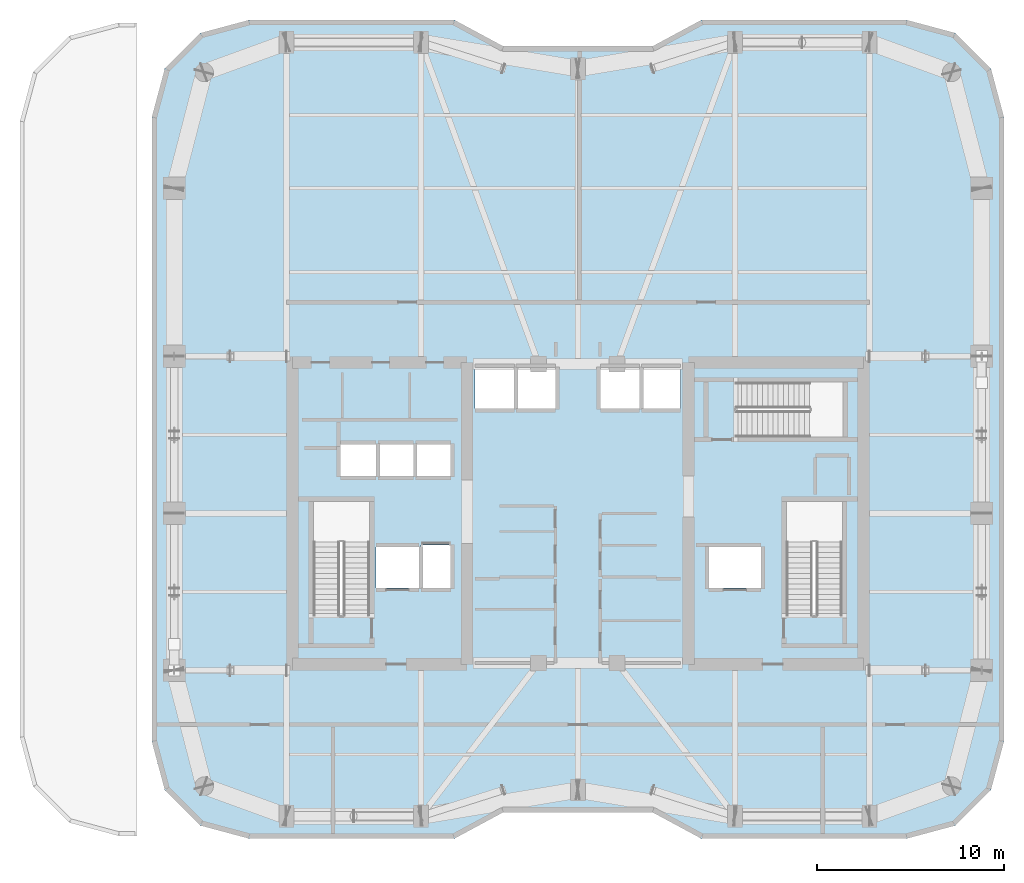
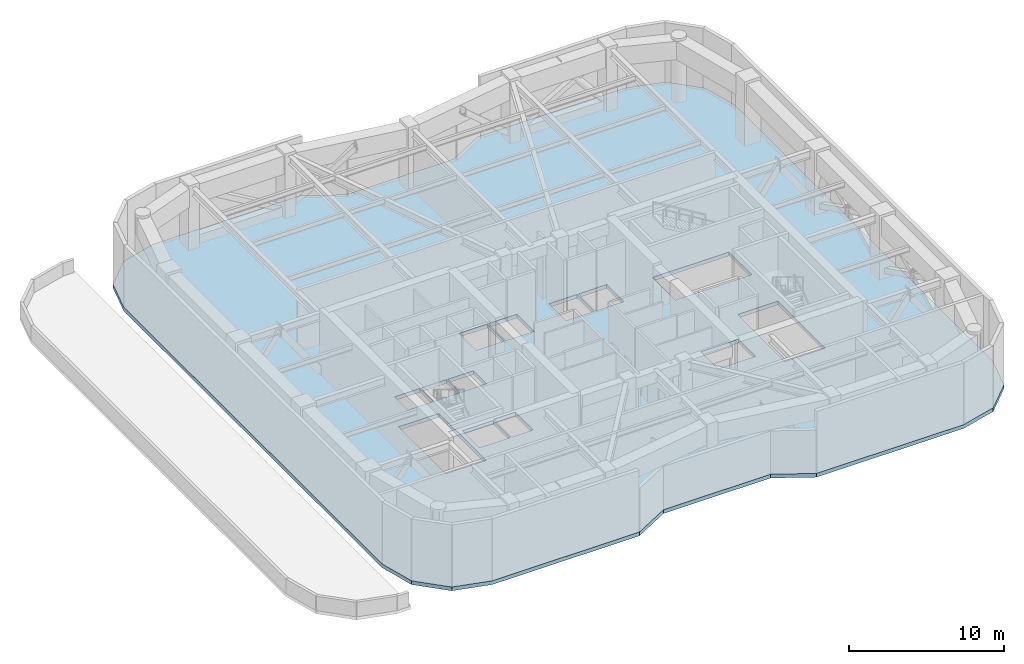
# One storey, part 6 of 16: 1 slab.
"""IFC4 building model written with IfcOpenShell, lengths in metres."""

from ifc_helpers import new_model, si_unit, direction, frame, origin, place, context, subcontext, project, spatial, polyline, outline, extrude, material, layer, layer_set, type_object, element, save


model = new_model("IFC4")

# Units and contexts
model_context = context("Model", 3, precision=1e-05, world=origin(), true_north=direction((0.0, 1.0)))
body_context = subcontext(model_context, "Body", "Model", "MODEL_VIEW")
ifc_project = project(units=[si_unit("LENGTHUNIT", "METRE"), si_unit("AREAUNIT", "SQUARE_METRE"), si_unit("VOLUMEUNIT", "CUBIC_METRE"), si_unit("PLANEANGLEUNIT", "RADIAN"), si_unit("MASSUNIT", "GRAM", prefix="KILO")], contexts=[model_context])

# Site, building, storey
site_placement = place(None, origin())
site = spatial("IfcSite", under=ifc_project, at=site_placement, CompositionType="ELEMENT")
building_placement = place(site_placement, origin())
building = spatial("IfcBuilding", under=site, at=building_placement, Name="Kiyonajd Concourse Tower", CompositionType="ELEMENT")
storey_placement = place(building_placement, frame((0.0, 0.0, 209.699951171875)))
storey = spatial("IfcBuildingStorey", under=building, at=storey_placement, Name="L53", CompositionType="ELEMENT", Elevation=209.699951171875)

# Slab
ifc_material = material(Name="Concrete C50/60", Category="concrete")
ifc_layer = layer(ifc_material, 0.300048828125)
ifc_layer_set = layer_set([ifc_layer], Name="Concrete C50/60")
slab_type = type_object("IfcSlabType", Name="SL-MEP-300", PredefinedType="FLOOR", material=ifc_layer_set)
slab_placement = place(storey_placement, frame((0.0, 0.0, -0.300048828125)))
element("IfcSlab", 1, at=slab_placement, inside=storey, type_object=slab_type, Name="L53 Tower Conditioned Floor Slab", PredefinedType="FLOOR", context=body_context, shape_type="SweptSolid", body=[
    extrude(outline(polyline([(25.199951171875, 23.800048828125), (25.89697265625, 21.199951171875), (27.800048828125, 19.297119140625), (30.39990234375, 18.60009765625), (41.39990234375, 18.60009765625), (44.0, 20.0), (52.0, 20.0), (54.60009765625, 18.60009765625), (65.60009765625, 18.60009765625), (68.199951171875, 19.297119140625), (70.10302734375, 21.199951171875), (70.800048828125, 23.800048828125), (70.800048828125, 57.199951171875), (70.10302734375, 59.800048828125), (68.199951171875, 61.702880859375), (65.60009765625, 62.39990234375), (54.60009765625, 62.39990234375), (52.0, 61.0), (44.0, 61.0), (41.39990234375, 62.39990234375), (30.39990234375, 62.39990234375), (27.800048828125, 61.702880859375), (25.89697265625, 59.800048828125), (25.199951171875, 57.199951171875), (25.199951171875, 23.800048828125)]), holes=[polyline([(39.5, 32.0), (37.199951171875, 32.0), (37.199951171875, 34.199951171875), (39.5, 34.199951171875), (39.5, 32.0)]), polyline([(39.60009765625, 32.0), (39.60009765625, 34.300048828125), (41.199951171875, 34.300048828125), (41.199951171875, 32.0), (39.60009765625, 32.0)]), polyline([(33.85009765625, 30.550048828125), (33.85009765625, 36.64990234375), (36.85009765625, 36.64990234375), (36.85009765625, 30.550048828125), (33.85009765625, 30.550048828125)]), polyline([(37.199951171875, 38.0), (35.300048828125, 38.0), (35.300048828125, 39.699951171875), (37.199951171875, 39.699951171875), (37.199951171875, 38.0)]), polyline([(37.300048828125, 38.0), (37.300048828125, 39.699951171875), (39.199951171875, 39.699951171875), (39.199951171875, 38.0), (37.300048828125, 38.0)]), polyline([(39.300048828125, 38.0), (39.300048828125, 39.699951171875), (41.199951171875, 39.699951171875), (41.199951171875, 38.0), (39.300048828125, 38.0)]), polyline([(44.60009765625, 41.60009765625), (42.5, 41.60009765625), (42.5, 43.800048828125), (44.60009765625, 43.800048828125), (44.60009765625, 41.60009765625)]), polyline([(55.0, 32.0), (55.0, 34.199951171875), (57.800048828125, 34.199951171875), (57.800048828125, 32.0), (55.0, 32.0)]), polyline([(59.14990234375, 30.550048828125), (59.14990234375, 36.64990234375), (62.14990234375, 36.64990234375), (62.14990234375, 30.550048828125), (59.14990234375, 30.550048828125)]), polyline([(56.47998046875, 43.02001953125), (62.179931640625, 43.02001953125), (62.179931640625, 40.080078125), (56.47998046875, 40.080078125), (56.47998046875, 43.02001953125)]), polyline([(44.699951171875, 41.60009765625), (44.699951171875, 43.800048828125), (46.800048828125, 43.800048828125), (46.800048828125, 41.60009765625), (44.699951171875, 41.60009765625)]), polyline([(49.199951171875, 41.60009765625), (49.199951171875, 43.800048828125), (51.300048828125, 43.800048828125), (51.300048828125, 41.60009765625), (49.199951171875, 41.60009765625)]), polyline([(51.39990234375, 41.60009765625), (51.39990234375, 43.800048828125), (53.5, 43.800048828125), (53.5, 41.60009765625), (51.39990234375, 41.60009765625)])]), origin(), (0.0, 0.0, 1.0), 0.300048828125),
])

save(model, "model.ifc")
